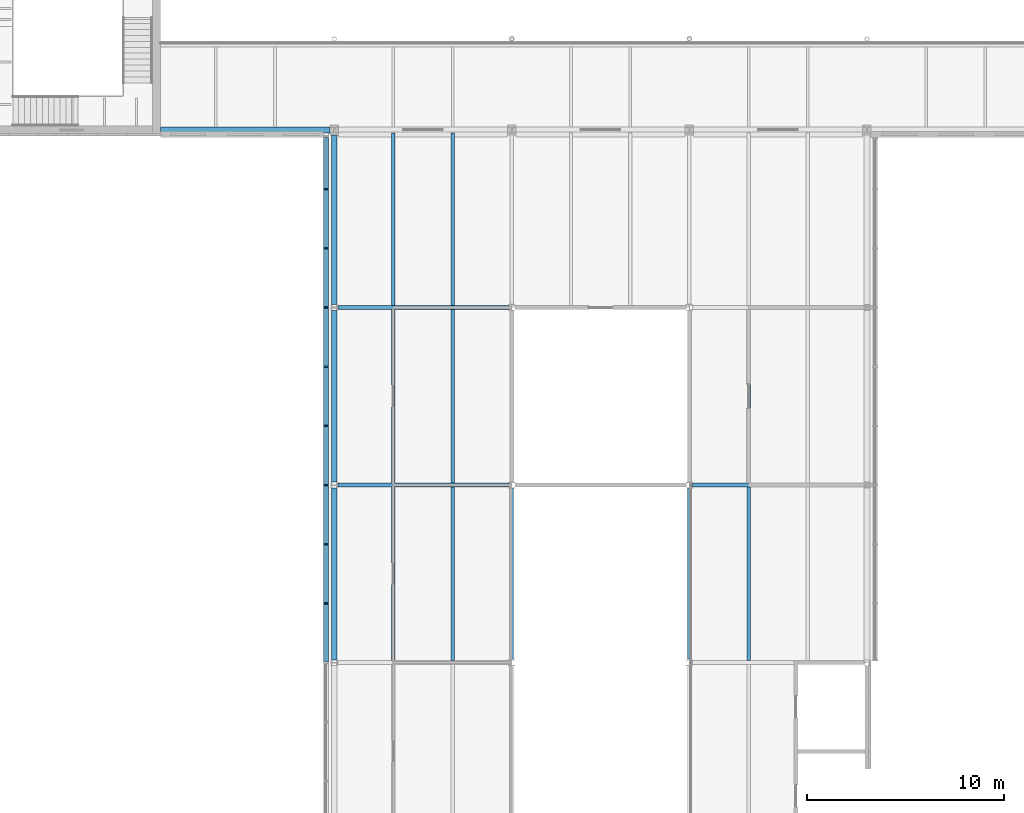
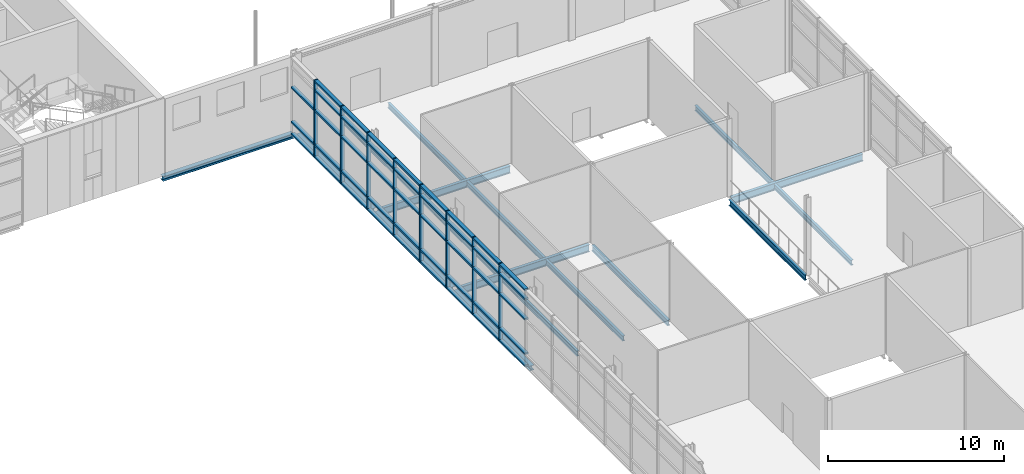
# One storey, part 18 of 46: 51 members, 17 beams, 1 element without a shape of its own.
"""IFC4 building model written with IfcOpenShell, lengths in metres."""

import ifcopenshell
import ifcopenshell.guid

model = None  # the IFC model being written
_history = None  # IfcOwnerHistory: only IFC2X3 demands one
_inside = {}  # id of a spatial element -> (the spatial element, [elements in it])
_under = {}  # id of a project, library or spatial element -> (it, [spatial elements below it])
_declared = {}  # id of a project -> (the project, [libraries it declares])
_typed = {}  # id of a type object -> (the type object, [elements of that type])
_made_of = {}  # id of a material, layer set ... -> (it, [elements and type objects made of it])


def new_model(schema):
    """Start an empty IFC model of exactly this schema.

    Asked for "IFC4X3", IfcOpenShell would pick the latest addendum, in which some entities
    have other attributes; the version numbers below select the first issue.
    IFC2X3 requires an IfcOwnerHistory on every rooted entity: one is made here for all.
    """
    global model, _history
    if schema == "IFC4X3":
        model = ifcopenshell.file(schema_version=(4, 3, 0, 0))
    else:
        model = ifcopenshell.file(schema=schema)
    _inside.clear()
    _under.clear()
    _declared.clear()
    _typed.clear()
    _made_of.clear()
    _history = None
    if model.schema == "IFC2X3":
        org = make("IfcOrganization", Name="unknown")
        user = make(
            "IfcPersonAndOrganization",
            ThePerson=make("IfcPerson", FamilyName="unknown"),
            TheOrganization=org,
        )
        app = make(
            "IfcApplication",
            ApplicationDeveloper=org,
            Version="unknown",
            ApplicationFullName="unknown",
            ApplicationIdentifier="unknown",
        )
        _history = make(
            "IfcOwnerHistory",
            OwningUser=user,
            OwningApplication=app,
            ChangeAction="ADDED",
            CreationDate=0,
        )
    return model


def make(cls, **values):
    """One entity of the class cls with the attributes given. An attribute that is None is left unset."""
    return model.create_entity(
        cls, **{name: value for name, value in values.items() if value is not None}
    )


def rooted(cls, **values):
    """An entity with a GlobalId (a new one), such as an element, a storey or a relation."""
    return make(cls, GlobalId=ifcopenshell.guid.new(), OwnerHistory=_history, **values)


def si_unit(unit_type, name, prefix=None):
    """IfcSIUnit, for example si_unit("LENGTHUNIT", "METRE", prefix="MILLI")."""
    return make("IfcSIUnit", UnitType=unit_type, Prefix=prefix, Name=name)


def assignment(units):
    """IfcUnitAssignment: the units of a project."""
    return None if units is None else make("IfcUnitAssignment", Units=units)


def point(xyz):
    """IfcCartesianPoint."""
    return None if xyz is None else make("IfcCartesianPoint", Coordinates=xyz)


def direction(xyz):
    """IfcDirection."""
    return None if xyz is None else make("IfcDirection", DirectionRatios=xyz)


def frame(location, z_axis=None, x_axis=None):
    """IfcAxis2Placement3D, a coordinate frame: its origin and axes. An axis left out is left unset."""
    return make(
        "IfcAxis2Placement3D",
        Location=point(location),
        Axis=direction(z_axis),
        RefDirection=direction(x_axis),
    )


def frame_2d(location, x_axis=None):
    """IfcAxis2Placement2D, a coordinate frame in the plane: its origin and x axis."""
    return make(
        "IfcAxis2Placement2D", Location=point(location), RefDirection=direction(x_axis)
    )


def origin():
    """The frame at (0, 0, 0) with its axes left unset."""
    return frame((0.0, 0.0, 0.0))


def origin_2d():
    """The frame at (0, 0) in the plane with its x axis left unset."""
    return frame_2d((0.0, 0.0))


def place(relative_to, where):
    """IfcLocalPlacement: puts the frame where relative to a parent placement (None: the world)."""
    return make(
        "IfcLocalPlacement", PlacementRelTo=relative_to, RelativePlacement=where
    )


def context(
    kind, dimensions, precision=None, world=None, true_north=None, identifier=None
):
    """IfcGeometricRepresentationContext, for example the 3D "Model" context."""
    return make(
        "IfcGeometricRepresentationContext",
        ContextIdentifier=identifier,
        ContextType=kind,
        CoordinateSpaceDimension=dimensions,
        Precision=precision,
        WorldCoordinateSystem=world,
        TrueNorth=true_north,
    )


def subcontext(parent, identifier, kind, view, scale=None):
    """IfcGeometricRepresentationSubContext, for example "Body" below "Model"."""
    return make(
        "IfcGeometricRepresentationSubContext",
        ContextIdentifier=identifier,
        ContextType=kind,
        ParentContext=parent,
        TargetScale=scale,
        TargetView=view,
    )


def project(units=None, contexts=None):
    """IfcProject with its units and contexts."""
    return rooted(
        "IfcProject",
        Name="project",
        RepresentationContexts=contexts,
        UnitsInContext=assignment(units),
    )


def spatial(cls, under=None, at=None, **own):
    """A site, building, storey or space (cls), placed at a placement, below another one or the project."""
    s = rooted(cls, ObjectPlacement=at, **own)
    if under is not None:
        _under.setdefault(under.id(), (under, []))[1].append(s)
    return s


def profile(cls, at=None, kind="AREA", **sizes):
    """A parametric profile (cls). Its sizes go by their IFC names, for example OverallWidth=200.0."""
    return make(cls, ProfileType=kind, Position=at, **sizes)


def rectangle(**sizes):
    """IfcRectangleProfileDef."""
    return profile("IfcRectangleProfileDef", **sizes)


def i_section(**sizes):
    """IfcIShapeProfileDef."""
    return profile("IfcIShapeProfileDef", **sizes)


def extrude(swept, where, along, depth):
    """IfcExtrudedAreaSolid: the profile swept, set in the frame where, extruded along a direction by depth."""
    return make(
        "IfcExtrudedAreaSolid",
        SweptArea=swept,
        Position=where,
        ExtrudedDirection=direction(along),
        Depth=depth,
    )


def shape(context_of_items, identifier, shape_type, items):
    """IfcShapeRepresentation: the items that make up one representation, for example the "Body"."""
    return make(
        "IfcShapeRepresentation",
        ContextOfItems=context_of_items,
        RepresentationIdentifier=identifier,
        RepresentationType=shape_type,
        Items=items,
    )


def material(Name=None, Category=None):
    """IfcMaterial."""
    return make("IfcMaterial", Name=Name, Category=Category)


def material_profile(
    of_material, cross_section, Name=None, Category=None, Priority=None
):
    """IfcMaterialProfile: a cross section and its material."""
    return make(
        "IfcMaterialProfile",
        Name=Name,
        Material=of_material,
        Profile=cross_section,
        Priority=Priority,
        Category=Category,
    )


def profile_set(profiles, Name=None, composite=None):
    """IfcMaterialProfileSet."""
    return make(
        "IfcMaterialProfileSet",
        Name=Name,
        MaterialProfiles=profiles,
        CompositeProfile=composite,
    )


def made_of(thing, what):
    """Note that an element or type object is made of a material, layer set ...; save() writes the relation."""
    if what is not None:
        _made_of.setdefault(what.id(), (what, []))[1].append(thing)
    return thing


def type_object(cls, material=None, **own):
    """A type object (cls), such as IfcWallType, which elements share."""
    return made_of(rooted(cls, **own), material)


def element(
    cls,
    number,
    at=None,
    inside=None,
    cuts=None,
    type_object=None,
    material=None,
    context=None,
    identifier="Body",
    shape_type=None,
    held_by="IfcProductDefinitionShape",
    body=None,
    shapes=None,
    **own,
):
    """One element of the class cls, such as IfcWall. Its Tag is "e" and its number.

    at: its placement. inside: the storey or other place that contains it. cuts: it is an
    opening in that element (IfcRelVoidsElement). A single representation is given by context,
    identifier, shape_type and body (its items); several are given by shapes. held_by: the class
    of the entity that holds the representations. save() writes the other relations.
    """
    e = rooted(cls, Tag="e%d" % number, ObjectPlacement=at, **own)
    if body is not None:
        shapes = [shape(context, identifier, shape_type, body)]
    if shapes is not None:
        e.Representation = make(held_by, Representations=shapes)
    if inside is not None:
        _inside.setdefault(inside.id(), (inside, []))[1].append(e)
    if cuts is not None:
        rooted(
            "IfcRelVoidsElement", RelatingBuildingElement=cuts, RelatedOpeningElement=e
        )
    if type_object is not None:
        _typed.setdefault(type_object.id(), (type_object, []))[1].append(e)
    return made_of(e, material)


def aggregate(whole, parts):
    """IfcRelAggregates: a whole, such as a stair, and the parts it consists of."""
    return rooted("IfcRelAggregates", RelatingObject=whole, RelatedObjects=parts)


def save(model, path):
    """Write the relations noted so far, then the file.

    IfcRelAggregates (storeys below a building ...), IfcRelContainedInSpatialStructure (elements
    in a storey), IfcRelDefinesByType, IfcRelAssociatesMaterial and IfcRelDeclares: one each for
    every whole, place, type object, material and project.
    """
    for whole, parts in _under.values():
        aggregate(whole, parts)
    for where, things in _inside.values():
        rooted(
            "IfcRelContainedInSpatialStructure",
            RelatedElements=things,
            RelatingStructure=where,
        )
    for kind, things in _typed.values():
        rooted("IfcRelDefinesByType", RelatedObjects=things, RelatingType=kind)
    for what, things in _made_of.values():
        rooted("IfcRelAssociatesMaterial", RelatedObjects=things, RelatingMaterial=what)
    for by, libraries in _declared.values():
        rooted("IfcRelDeclares", RelatingContext=by, RelatedDefinitions=libraries)
    model.write(path)


model = new_model("IFC4")

# Units and contexts
model_context = context("Model", 3, precision=1e-05, world=origin(), true_north=direction((0.0, 1.0)))
body_context = subcontext(model_context, "Body", "Model", "MODEL_VIEW")
ifc_project = project(units=[si_unit("LENGTHUNIT", "METRE"), si_unit("AREAUNIT", "SQUARE_METRE"), si_unit("VOLUMEUNIT", "CUBIC_METRE"), si_unit("PLANEANGLEUNIT", "RADIAN"), si_unit("MASSUNIT", "GRAM", prefix="KILO")], contexts=[model_context])

# Site, building, storey
site_placement = place(None, origin())
site = spatial("IfcSite", under=ifc_project, at=site_placement, CompositionType="ELEMENT")
building_placement = place(site_placement, origin())
building = spatial("IfcBuilding", under=site, at=building_placement, Name="Azimuth Sports and Learning Centre", CompositionType="ELEMENT")
storey_placement = place(building_placement, frame((0.0, 0.0, 21.60009765625)))
storey = spatial("IfcBuildingStorey", under=building, at=storey_placement, Name="L04", CompositionType="ELEMENT", Elevation=21.60009765625)

# Beams
ifc_material_1 = material(Name="Steel S355", Category="steel")
ifc_material_profile_1 = material_profile(ifc_material_1, i_section(OverallWidth=0.179931640625, OverallDepth=0.39990234375, WebThickness=0.008544921875, FlangeThickness=0.013427734375, FilletRadius=0.02099609375, at=origin_2d()), Name="IPE 400")
ifc_profile_set_1 = profile_set([ifc_material_profile_1], Name="Steel S355")
beam_type_1 = type_object("IfcBeamType", Name="Beam IPE 400", PredefinedType="BEAM", material=ifc_profile_set_1)
for number, where, z_axis, x_axis, name in (
    (1, (81.0, 63.179931640625, -0.35009765625), (0.0, 1.0, 0.0), (-1.0, 0.0, 0.0), "Beam L04 ST 33"),
    (2, (90.0, 63.179931640625, -0.35009765625), (0.0, 1.0, 0.0), (-1.0, 0.0, 0.0), "Beam L04 ST 39"),
):
    element("IfcBeam", number, at=place(storey_placement, frame(where, z_axis=z_axis, x_axis=x_axis)), inside=storey, type_object=beam_type_1, Name=name, PredefinedType="BEAM", context=body_context, shape_type="SweptSolid", body=[
        extrude(i_section(OverallWidth=0.179931640625, OverallDepth=0.39990234375, WebThickness=0.008544921875, FlangeThickness=0.013427734375, FilletRadius=0.02099609375, at=origin_2d()), origin(), (0.0, 0.0, 1.0), 8.64013671875),
    ])
ifc_material_2 = material(Name="Steel S355", Category="steel")
ifc_material_profile_2 = material_profile(ifc_material_2, i_section(OverallWidth=0.199951171875, OverallDepth=0.5, WebThickness=0.01025390625, FlangeThickness=0.01611328125, FilletRadius=0.02099609375, at=origin_2d()), Name="IPE 500")
ifc_profile_set_2 = profile_set([ifc_material_profile_2], Name="Steel S355")
beam_type_2 = type_object("IfcBeamType", Name="Beam IPE 500", PredefinedType="BEAM", material=ifc_profile_set_2)
for number, where, z_axis, x_axis, name in (
    (3, (72.179931640625, 72.0, -0.400146484375), (1.0, 0.0, 0.0), (0.0, 1.0, 0.0), "Beam L04 ST 14"),
    (4, (90.14990234375, 72.0, -0.400146484375), (1.0, 0.0, 0.0), (0.0, 1.0, 0.0), "Beam L04 ST 15"),
    (5, (72.179931640625, 81.0, -0.400146484375), (1.0, 0.0, 0.0), (0.0, 1.0, 0.0), "Beam L04 ST 16"),
):
    element("IfcBeam", number, at=place(storey_placement, frame(where, z_axis=z_axis, x_axis=x_axis)), inside=storey, type_object=beam_type_2, Name=name, PredefinedType="BEAM", context=body_context, shape_type="SweptSolid", body=[
        extrude(i_section(OverallWidth=0.199951171875, OverallDepth=0.5, WebThickness=0.01025390625, FlangeThickness=0.01611328125, FilletRadius=0.02099609375, at=origin_2d()), origin(), (0.0, 0.0, 1.0), 8.670166015625),
    ])
ifc_material_3 = material(Name="Steel S355", Category="steel")
ifc_material_profile_3 = material_profile(ifc_material_3, i_section(OverallWidth=0.300048828125, OverallDepth=0.330078125, WebThickness=0.009521484375, FlangeThickness=0.0166015625, FilletRadius=0.027099609375, at=origin_2d()), Name="HEA 340")
ifc_profile_set_3 = profile_set([ifc_material_profile_3], Name="Steel S355")
beam_type_3 = type_object("IfcBeamType", Name="Edge beam HEA 340", PredefinedType="SPANDREL", material=ifc_profile_set_3)
for number, where, z_axis, x_axis, name in (
    (6, (72.0, 63.14990234375, -0.315185546875), (0.0, 1.0, 0.0), (-1.0, 0.0, 0.0), "Edge beam L04 ST 26"),
    (7, (72.0, 72.14990234375, -0.315185546875), (0.0, 1.0, 0.0), (-1.0, 0.0, 0.0), "Edge beam L04 ST 27"),
):
    element("IfcBeam", number, at=place(storey_placement, frame(where, z_axis=z_axis, x_axis=x_axis)), inside=storey, type_object=beam_type_3, Name=name, PredefinedType="SPANDREL", context=body_context, shape_type="SweptSolid", body=[
        extrude(i_section(OverallWidth=0.300048828125, OverallDepth=0.330078125, WebThickness=0.009521484375, FlangeThickness=0.0166015625, FilletRadius=0.027099609375, at=origin_2d()), origin(), (0.0, 0.0, 1.0), 8.7001953125),
    ])
beam_1_placement = place(storey_placement, frame((72.0, 81.14990234375, -0.315185546875), z_axis=(0.0, 1.0, 0.0), x_axis=(-1.0, 0.0, 0.0)))
element("IfcBeam", 8, at=beam_1_placement, inside=storey, type_object=beam_type_3, Name="Edge beam L04 ST 28", PredefinedType="SPANDREL", context=body_context, shape_type="SweptSolid", body=[
    extrude(i_section(OverallWidth=0.300048828125, OverallDepth=0.330078125, WebThickness=0.009521484375, FlangeThickness=0.0166015625, FilletRadius=0.027099609375, at=origin_2d()), origin(), (0.0, 0.0, 1.0), 8.60107421875),
])
beam_2_placement = place(storey_placement, frame((63.199951171875, 90.0, -0.315185546875), z_axis=(1.0, 0.0, 0.0), x_axis=(0.0, 1.0, 0.0)))
element("IfcBeam", 9, at=beam_2_placement, inside=storey, type_object=beam_type_3, Name="Edge beam L04 HG 1", PredefinedType="SPANDREL", context=body_context, shape_type="SweptSolid", body=[
    extrude(i_section(OverallWidth=0.300048828125, OverallDepth=0.330078125, WebThickness=0.009521484375, FlangeThickness=0.0166015625, FilletRadius=0.027099609375, at=origin_2d()), origin(), (0.0, 0.0, 1.0), 8.583984375),
])
ifc_material_4 = material(Name="Steel S355", Category="steel")
ifc_material_profile_4 = material_profile(ifc_material_4, i_section(OverallWidth=0.169921875, OverallDepth=0.360107421875, WebThickness=0.008056640625, FlangeThickness=0.0126953125, FilletRadius=0.01806640625, at=origin_2d()), Name="IPE 360")
ifc_profile_set_4 = profile_set([ifc_material_profile_4], Name="Steel S355")
beam_type_4 = type_object("IfcBeamType", Name="Joist IPE 360", PredefinedType="JOIST", material=ifc_profile_set_4)
for number, where, z_axis, x_axis, name in (
    (10, (75.0, 63.10009765625, -0.330078125), (0.0, 1.0, 0.0), (-1.0, 0.0, 0.0), "Joist L04 ST 53"),
    (11, (75.0, 72.10009765625, -0.330078125), (0.0, 1.0, 0.0), (-1.0, 0.0, 0.0), "Joist L04 ST 54"),
):
    element("IfcBeam", number, at=place(storey_placement, frame(where, z_axis=z_axis, x_axis=x_axis)), inside=storey, type_object=beam_type_4, Name=name, PredefinedType="JOIST", context=body_context, shape_type="SweptSolid", body=[
        extrude(i_section(OverallWidth=0.169921875, OverallDepth=0.360107421875, WebThickness=0.008056640625, FlangeThickness=0.0126953125, FilletRadius=0.01806640625, at=origin_2d()), origin(), (0.0, 0.0, 1.0), 8.7998046875),
    ])
beam_3_placement = place(storey_placement, frame((75.0, 81.10009765625, -0.330078125), z_axis=(0.0, 1.0, 0.0), x_axis=(-1.0, 0.0, 0.0)))
element("IfcBeam", 12, at=beam_3_placement, inside=storey, type_object=beam_type_4, Name="Joist L04 ST 55", PredefinedType="JOIST", context=body_context, shape_type="SweptSolid", body=[
    extrude(i_section(OverallWidth=0.169921875, OverallDepth=0.360107421875, WebThickness=0.008056640625, FlangeThickness=0.0126953125, FilletRadius=0.01806640625, at=origin_2d()), origin(), (0.0, 0.0, 1.0), 8.75),
])
for number, where, z_axis, x_axis, name in (
    (13, (78.0, 63.10009765625, -0.330078125), (0.0, 1.0, 0.0), (-1.0, 0.0, 0.0), "Joist L04 ST 61"),
    (14, (78.0, 72.10009765625, -0.330078125), (0.0, 1.0, 0.0), (-1.0, 0.0, 0.0), "Joist L04 ST 62"),
):
    element("IfcBeam", number, at=place(storey_placement, frame(where, z_axis=z_axis, x_axis=x_axis)), inside=storey, type_object=beam_type_4, Name=name, PredefinedType="JOIST", context=body_context, shape_type="SweptSolid", body=[
        extrude(i_section(OverallWidth=0.169921875, OverallDepth=0.360107421875, WebThickness=0.008056640625, FlangeThickness=0.0126953125, FilletRadius=0.01806640625, at=origin_2d()), origin(), (0.0, 0.0, 1.0), 8.7998046875),
    ])
beam_4_placement = place(storey_placement, frame((78.0, 81.10009765625, -0.330078125), z_axis=(0.0, 1.0, 0.0), x_axis=(-1.0, 0.0, 0.0)))
element("IfcBeam", 15, at=beam_4_placement, inside=storey, type_object=beam_type_4, Name="Joist L04 ST 63", PredefinedType="JOIST", context=body_context, shape_type="SweptSolid", body=[
    extrude(i_section(OverallWidth=0.169921875, OverallDepth=0.360107421875, WebThickness=0.008056640625, FlangeThickness=0.0126953125, FilletRadius=0.01806640625, at=origin_2d()), origin(), (0.0, 0.0, 1.0), 8.75),
])
for number, where, z_axis, x_axis, name in (
    (16, (93.0, 63.10009765625, -0.330078125), (0.0, 1.0, 0.0), (-1.0, 0.0, 0.0), "Joist L04 ST 81"),
    (17, (93.0, 72.10009765625, -0.330078125), (0.0, 1.0, 0.0), (-1.0, 0.0, 0.0), "Joist L04 ST 82"),
):
    element("IfcBeam", number, at=place(storey_placement, frame(where, z_axis=z_axis, x_axis=x_axis)), inside=storey, type_object=beam_type_4, Name=name, PredefinedType="JOIST", context=body_context, shape_type="SweptSolid", body=[
        extrude(i_section(OverallWidth=0.169921875, OverallDepth=0.360107421875, WebThickness=0.008056640625, FlangeThickness=0.0126953125, FilletRadius=0.01806640625, at=origin_2d()), origin(), (0.0, 0.0, 1.0), 8.7998046875),
    ])

# Curtain wall, members
ifc_material_5 = material(Name="Aluminium and glass", Category="aluminium")
curtain_wall_type = type_object("IfcCurtainWallType", Name="Curtain wall podium stem 240", PredefinedType="NOTDEFINED", material=ifc_material_5)
curtain_wall_placement = place(storey_placement, origin())
curtain_wall = element("IfcCurtainWall", 18, at=curtain_wall_placement, inside=storey, type_object=curtain_wall_type, Name="Curtain wall CW04-003", PredefinedType="NOTDEFINED")
ifc_material_6 = material(Name="Aluminium", Category="aluminium")
ifc_material_profile_5 = material_profile(ifc_material_6, rectangle(XDim=0.239990234375, YDim=0.080078125, at=origin_2d()), Name="Mullion 80x240")
ifc_profile_set_5 = profile_set([ifc_material_profile_5], Name="Aluminium")
member_type_1 = type_object("IfcMemberType", Name="Mullion 80x240", PredefinedType="MULLION", material=ifc_profile_set_5)
member_1_placement = place(storey_placement, frame((71.580078125, 87.0, 0.0), z_axis=(0.0, 0.0, 1.0), x_axis=(1.0, 0.0, 0.0)))
member_1 = element("IfcMember", 19, at=member_1_placement, type_object=member_type_1, Name="CW04-003 mullion 2", PredefinedType="MULLION", context=body_context, shape_type="SweptSolid", body=[
    extrude(rectangle(XDim=0.239990234375, YDim=0.080078125, at=origin_2d()), origin(), (0.0, 0.0, 1.0), 5.39990234375),
])
member_2_placement = place(storey_placement, frame((71.580078125, 84.0, 0.0), z_axis=(0.0, 0.0, 1.0), x_axis=(1.0, 0.0, 0.0)))
member_2 = element("IfcMember", 20, at=member_2_placement, type_object=member_type_1, Name="CW04-003 mullion 3", PredefinedType="MULLION", context=body_context, shape_type="SweptSolid", body=[
    extrude(rectangle(XDim=0.239990234375, YDim=0.080078125, at=origin_2d()), origin(), (0.0, 0.0, 1.0), 5.39990234375),
])
member_3_placement = place(storey_placement, frame((71.580078125, 81.0, 0.0), z_axis=(0.0, 0.0, 1.0), x_axis=(1.0, 0.0, 0.0)))
member_3 = element("IfcMember", 21, at=member_3_placement, type_object=member_type_1, Name="CW04-003 mullion 4", PredefinedType="MULLION", context=body_context, shape_type="SweptSolid", body=[
    extrude(rectangle(XDim=0.239990234375, YDim=0.080078125, at=origin_2d()), origin(), (0.0, 0.0, 1.0), 5.39990234375),
])
member_4_placement = place(storey_placement, frame((71.580078125, 78.0, 0.0), z_axis=(0.0, 0.0, 1.0), x_axis=(1.0, 0.0, 0.0)))
member_4 = element("IfcMember", 22, at=member_4_placement, type_object=member_type_1, Name="CW04-003 mullion 5", PredefinedType="MULLION", context=body_context, shape_type="SweptSolid", body=[
    extrude(rectangle(XDim=0.239990234375, YDim=0.080078125, at=origin_2d()), origin(), (0.0, 0.0, 1.0), 5.39990234375),
])
member_5_placement = place(storey_placement, frame((71.580078125, 75.0, 0.0), z_axis=(0.0, 0.0, 1.0), x_axis=(1.0, 0.0, 0.0)))
member_5 = element("IfcMember", 23, at=member_5_placement, type_object=member_type_1, Name="CW04-003 mullion 6", PredefinedType="MULLION", context=body_context, shape_type="SweptSolid", body=[
    extrude(rectangle(XDim=0.239990234375, YDim=0.080078125, at=origin_2d()), origin(), (0.0, 0.0, 1.0), 5.39990234375),
])
member_6_placement = place(storey_placement, frame((71.580078125, 72.0, 0.0), z_axis=(0.0, 0.0, 1.0), x_axis=(1.0, 0.0, 0.0)))
member_6 = element("IfcMember", 24, at=member_6_placement, type_object=member_type_1, Name="CW04-003 mullion 7", PredefinedType="MULLION", context=body_context, shape_type="SweptSolid", body=[
    extrude(rectangle(XDim=0.239990234375, YDim=0.080078125, at=origin_2d()), origin(), (0.0, 0.0, 1.0), 5.39990234375),
])
member_7_placement = place(storey_placement, frame((71.580078125, 69.0, 0.0), z_axis=(0.0, 0.0, 1.0), x_axis=(1.0, 0.0, 0.0)))
member_7 = element("IfcMember", 25, at=member_7_placement, type_object=member_type_1, Name="CW04-003 mullion 8", PredefinedType="MULLION", context=body_context, shape_type="SweptSolid", body=[
    extrude(rectangle(XDim=0.239990234375, YDim=0.080078125, at=origin_2d()), origin(), (0.0, 0.0, 1.0), 5.39990234375),
])
member_8_placement = place(storey_placement, frame((71.580078125, 66.0, 0.0), z_axis=(0.0, 0.0, 1.0), x_axis=(1.0, 0.0, 0.0)))
member_8 = element("IfcMember", 26, at=member_8_placement, type_object=member_type_1, Name="CW04-003 mullion 9", PredefinedType="MULLION", context=body_context, shape_type="SweptSolid", body=[
    extrude(rectangle(XDim=0.239990234375, YDim=0.080078125, at=origin_2d()), origin(), (0.0, 0.0, 1.0), 5.39990234375),
])
ifc_material_7 = material(Name="Aluminium", Category="aluminium")
ifc_material_profile_6 = material_profile(ifc_material_7, rectangle(XDim=0.239990234375, YDim=0.1201171875, at=origin_2d()), Name="Transom 120x240")
ifc_profile_set_6 = profile_set([ifc_material_profile_6], Name="Aluminium")
member_type_2 = type_object("IfcMemberType", Name="Transom 120x240", PredefinedType="USERDEFINED", material=ifc_profile_set_6)
member_9_placement = place(storey_placement, frame((71.580078125, 89.6201171875, 0.059814453125), z_axis=(0.0, -1.0, 0.0), x_axis=(1.0, 0.0, 0.0)))
member_9 = element("IfcMember", 27, at=member_9_placement, type_object=member_type_2, Name="CW04-003 transom 1.1", ObjectType="TRANSOM", PredefinedType="USERDEFINED", context=body_context, shape_type="SweptSolid", body=[
    extrude(rectangle(XDim=0.239990234375, YDim=0.1201171875, at=origin_2d()), origin(), (0.0, 0.0, 1.0), 2.580078125),
])
member_10_placement = place(storey_placement, frame((71.580078125, 89.6201171875, 0.89990234375), z_axis=(0.0, -1.0, 0.0), x_axis=(1.0, 0.0, 0.0)))
member_10 = element("IfcMember", 28, at=member_10_placement, type_object=member_type_2, Name="CW04-003 transom 1.2", ObjectType="TRANSOM", PredefinedType="USERDEFINED", context=body_context, shape_type="SweptSolid", body=[
    extrude(rectangle(XDim=0.239990234375, YDim=0.1201171875, at=origin_2d()), origin(), (0.0, 0.0, 1.0), 2.580078125),
])
member_11_placement = place(storey_placement, frame((71.580078125, 89.6201171875, 3.2998046875), z_axis=(0.0, -1.0, 0.0), x_axis=(1.0, 0.0, 0.0)))
member_11 = element("IfcMember", 29, at=member_11_placement, type_object=member_type_2, Name="CW04-003 transom 1.3", ObjectType="TRANSOM", PredefinedType="USERDEFINED", context=body_context, shape_type="SweptSolid", body=[
    extrude(rectangle(XDim=0.239990234375, YDim=0.1201171875, at=origin_2d()), origin(), (0.0, 0.0, 1.0), 2.580078125),
])
member_12_placement = place(storey_placement, frame((71.580078125, 86.9599609375, 0.059814453125), z_axis=(0.0, -1.0, 0.0), x_axis=(1.0, 0.0, 0.0)))
member_12 = element("IfcMember", 30, at=member_12_placement, type_object=member_type_2, Name="CW04-003 transom 2.1", ObjectType="TRANSOM", PredefinedType="USERDEFINED", context=body_context, shape_type="SweptSolid", body=[
    extrude(rectangle(XDim=0.239990234375, YDim=0.1201171875, at=origin_2d()), origin(), (0.0, 0.0, 1.0), 2.919921875),
])
member_13_placement = place(storey_placement, frame((71.580078125, 86.9599609375, 0.89990234375), z_axis=(0.0, -1.0, 0.0), x_axis=(1.0, 0.0, 0.0)))
member_13 = element("IfcMember", 31, at=member_13_placement, type_object=member_type_2, Name="CW04-003 transom 2.2", ObjectType="TRANSOM", PredefinedType="USERDEFINED", context=body_context, shape_type="SweptSolid", body=[
    extrude(rectangle(XDim=0.239990234375, YDim=0.1201171875, at=origin_2d()), origin(), (0.0, 0.0, 1.0), 2.919921875),
])
member_14_placement = place(storey_placement, frame((71.580078125, 86.9599609375, 3.2998046875), z_axis=(0.0, -1.0, 0.0), x_axis=(1.0, 0.0, 0.0)))
member_14 = element("IfcMember", 32, at=member_14_placement, type_object=member_type_2, Name="CW04-003 transom 2.3", ObjectType="TRANSOM", PredefinedType="USERDEFINED", context=body_context, shape_type="SweptSolid", body=[
    extrude(rectangle(XDim=0.239990234375, YDim=0.1201171875, at=origin_2d()), origin(), (0.0, 0.0, 1.0), 2.919921875),
])
member_15_placement = place(storey_placement, frame((71.580078125, 86.9599609375, 4.699951171875), z_axis=(0.0, -1.0, 0.0), x_axis=(1.0, 0.0, 0.0)))
member_15 = element("IfcMember", 33, at=member_15_placement, type_object=member_type_2, Name="CW04-003 transom 2.4", ObjectType="TRANSOM", PredefinedType="USERDEFINED", context=body_context, shape_type="SweptSolid", body=[
    extrude(rectangle(XDim=0.239990234375, YDim=0.1201171875, at=origin_2d()), origin(), (0.0, 0.0, 1.0), 2.919921875),
])
member_16_placement = place(storey_placement, frame((71.580078125, 86.9599609375, 5.33984375), z_axis=(0.0, -1.0, 0.0), x_axis=(1.0, 0.0, 0.0)))
member_16 = element("IfcMember", 34, at=member_16_placement, type_object=member_type_2, Name="CW04-003 transom 2.5", ObjectType="TRANSOM", PredefinedType="USERDEFINED", context=body_context, shape_type="SweptSolid", body=[
    extrude(rectangle(XDim=0.239990234375, YDim=0.1201171875, at=origin_2d()), origin(), (0.0, 0.0, 1.0), 2.919921875),
])
member_17_placement = place(storey_placement, frame((71.580078125, 83.9599609375, 0.059814453125), z_axis=(0.0, -1.0, 0.0), x_axis=(1.0, 0.0, 0.0)))
member_17 = element("IfcMember", 35, at=member_17_placement, type_object=member_type_2, Name="CW04-003 transom 3.1", ObjectType="TRANSOM", PredefinedType="USERDEFINED", context=body_context, shape_type="SweptSolid", body=[
    extrude(rectangle(XDim=0.239990234375, YDim=0.1201171875, at=origin_2d()), origin(), (0.0, 0.0, 1.0), 2.919921875),
])
member_18_placement = place(storey_placement, frame((71.580078125, 83.9599609375, 0.89990234375), z_axis=(0.0, -1.0, 0.0), x_axis=(1.0, 0.0, 0.0)))
member_18 = element("IfcMember", 36, at=member_18_placement, type_object=member_type_2, Name="CW04-003 transom 3.2", ObjectType="TRANSOM", PredefinedType="USERDEFINED", context=body_context, shape_type="SweptSolid", body=[
    extrude(rectangle(XDim=0.239990234375, YDim=0.1201171875, at=origin_2d()), origin(), (0.0, 0.0, 1.0), 2.919921875),
])
member_19_placement = place(storey_placement, frame((71.580078125, 83.9599609375, 3.2998046875), z_axis=(0.0, -1.0, 0.0), x_axis=(1.0, 0.0, 0.0)))
member_19 = element("IfcMember", 37, at=member_19_placement, type_object=member_type_2, Name="CW04-003 transom 3.3", ObjectType="TRANSOM", PredefinedType="USERDEFINED", context=body_context, shape_type="SweptSolid", body=[
    extrude(rectangle(XDim=0.239990234375, YDim=0.1201171875, at=origin_2d()), origin(), (0.0, 0.0, 1.0), 2.919921875),
])
member_20_placement = place(storey_placement, frame((71.580078125, 83.9599609375, 4.699951171875), z_axis=(0.0, -1.0, 0.0), x_axis=(1.0, 0.0, 0.0)))
member_20 = element("IfcMember", 38, at=member_20_placement, type_object=member_type_2, Name="CW04-003 transom 3.4", ObjectType="TRANSOM", PredefinedType="USERDEFINED", context=body_context, shape_type="SweptSolid", body=[
    extrude(rectangle(XDim=0.239990234375, YDim=0.1201171875, at=origin_2d()), origin(), (0.0, 0.0, 1.0), 2.919921875),
])
member_21_placement = place(storey_placement, frame((71.580078125, 83.9599609375, 5.33984375), z_axis=(0.0, -1.0, 0.0), x_axis=(1.0, 0.0, 0.0)))
member_21 = element("IfcMember", 39, at=member_21_placement, type_object=member_type_2, Name="CW04-003 transom 3.5", ObjectType="TRANSOM", PredefinedType="USERDEFINED", context=body_context, shape_type="SweptSolid", body=[
    extrude(rectangle(XDim=0.239990234375, YDim=0.1201171875, at=origin_2d()), origin(), (0.0, 0.0, 1.0), 2.919921875),
])
member_22_placement = place(storey_placement, frame((71.580078125, 80.9599609375, 0.059814453125), z_axis=(0.0, -1.0, 0.0), x_axis=(1.0, 0.0, 0.0)))
member_22 = element("IfcMember", 40, at=member_22_placement, type_object=member_type_2, Name="CW04-003 transom 4.1", ObjectType="TRANSOM", PredefinedType="USERDEFINED", context=body_context, shape_type="SweptSolid", body=[
    extrude(rectangle(XDim=0.239990234375, YDim=0.1201171875, at=origin_2d()), origin(), (0.0, 0.0, 1.0), 2.919921875),
])
member_23_placement = place(storey_placement, frame((71.580078125, 80.9599609375, 0.89990234375), z_axis=(0.0, -1.0, 0.0), x_axis=(1.0, 0.0, 0.0)))
member_23 = element("IfcMember", 41, at=member_23_placement, type_object=member_type_2, Name="CW04-003 transom 4.2", ObjectType="TRANSOM", PredefinedType="USERDEFINED", context=body_context, shape_type="SweptSolid", body=[
    extrude(rectangle(XDim=0.239990234375, YDim=0.1201171875, at=origin_2d()), origin(), (0.0, 0.0, 1.0), 2.919921875),
])
member_24_placement = place(storey_placement, frame((71.580078125, 80.9599609375, 3.2998046875), z_axis=(0.0, -1.0, 0.0), x_axis=(1.0, 0.0, 0.0)))
member_24 = element("IfcMember", 42, at=member_24_placement, type_object=member_type_2, Name="CW04-003 transom 4.3", ObjectType="TRANSOM", PredefinedType="USERDEFINED", context=body_context, shape_type="SweptSolid", body=[
    extrude(rectangle(XDim=0.239990234375, YDim=0.1201171875, at=origin_2d()), origin(), (0.0, 0.0, 1.0), 2.919921875),
])
member_25_placement = place(storey_placement, frame((71.580078125, 80.9599609375, 4.699951171875), z_axis=(0.0, -1.0, 0.0), x_axis=(1.0, 0.0, 0.0)))
member_25 = element("IfcMember", 43, at=member_25_placement, type_object=member_type_2, Name="CW04-003 transom 4.4", ObjectType="TRANSOM", PredefinedType="USERDEFINED", context=body_context, shape_type="SweptSolid", body=[
    extrude(rectangle(XDim=0.239990234375, YDim=0.1201171875, at=origin_2d()), origin(), (0.0, 0.0, 1.0), 2.919921875),
])
member_26_placement = place(storey_placement, frame((71.580078125, 80.9599609375, 5.33984375), z_axis=(0.0, -1.0, 0.0), x_axis=(1.0, 0.0, 0.0)))
member_26 = element("IfcMember", 44, at=member_26_placement, type_object=member_type_2, Name="CW04-003 transom 4.5", ObjectType="TRANSOM", PredefinedType="USERDEFINED", context=body_context, shape_type="SweptSolid", body=[
    extrude(rectangle(XDim=0.239990234375, YDim=0.1201171875, at=origin_2d()), origin(), (0.0, 0.0, 1.0), 2.919921875),
])
member_27_placement = place(storey_placement, frame((71.580078125, 77.9599609375, 0.059814453125), z_axis=(0.0, -1.0, 0.0), x_axis=(1.0, 0.0, 0.0)))
member_27 = element("IfcMember", 45, at=member_27_placement, type_object=member_type_2, Name="CW04-003 transom 5.1", ObjectType="TRANSOM", PredefinedType="USERDEFINED", context=body_context, shape_type="SweptSolid", body=[
    extrude(rectangle(XDim=0.239990234375, YDim=0.1201171875, at=origin_2d()), origin(), (0.0, 0.0, 1.0), 2.919921875),
])
member_28_placement = place(storey_placement, frame((71.580078125, 77.9599609375, 0.89990234375), z_axis=(0.0, -1.0, 0.0), x_axis=(1.0, 0.0, 0.0)))
member_28 = element("IfcMember", 46, at=member_28_placement, type_object=member_type_2, Name="CW04-003 transom 5.2", ObjectType="TRANSOM", PredefinedType="USERDEFINED", context=body_context, shape_type="SweptSolid", body=[
    extrude(rectangle(XDim=0.239990234375, YDim=0.1201171875, at=origin_2d()), origin(), (0.0, 0.0, 1.0), 2.919921875),
])
member_29_placement = place(storey_placement, frame((71.580078125, 77.9599609375, 3.2998046875), z_axis=(0.0, -1.0, 0.0), x_axis=(1.0, 0.0, 0.0)))
member_29 = element("IfcMember", 47, at=member_29_placement, type_object=member_type_2, Name="CW04-003 transom 5.3", ObjectType="TRANSOM", PredefinedType="USERDEFINED", context=body_context, shape_type="SweptSolid", body=[
    extrude(rectangle(XDim=0.239990234375, YDim=0.1201171875, at=origin_2d()), origin(), (0.0, 0.0, 1.0), 2.919921875),
])
member_30_placement = place(storey_placement, frame((71.580078125, 77.9599609375, 4.699951171875), z_axis=(0.0, -1.0, 0.0), x_axis=(1.0, 0.0, 0.0)))
member_30 = element("IfcMember", 48, at=member_30_placement, type_object=member_type_2, Name="CW04-003 transom 5.4", ObjectType="TRANSOM", PredefinedType="USERDEFINED", context=body_context, shape_type="SweptSolid", body=[
    extrude(rectangle(XDim=0.239990234375, YDim=0.1201171875, at=origin_2d()), origin(), (0.0, 0.0, 1.0), 2.919921875),
])
member_31_placement = place(storey_placement, frame((71.580078125, 77.9599609375, 5.33984375), z_axis=(0.0, -1.0, 0.0), x_axis=(1.0, 0.0, 0.0)))
member_31 = element("IfcMember", 49, at=member_31_placement, type_object=member_type_2, Name="CW04-003 transom 5.5", ObjectType="TRANSOM", PredefinedType="USERDEFINED", context=body_context, shape_type="SweptSolid", body=[
    extrude(rectangle(XDim=0.239990234375, YDim=0.1201171875, at=origin_2d()), origin(), (0.0, 0.0, 1.0), 2.919921875),
])
member_32_placement = place(storey_placement, frame((71.580078125, 74.9599609375, 0.059814453125), z_axis=(0.0, -1.0, 0.0), x_axis=(1.0, 0.0, 0.0)))
member_32 = element("IfcMember", 50, at=member_32_placement, type_object=member_type_2, Name="CW04-003 transom 6.1", ObjectType="TRANSOM", PredefinedType="USERDEFINED", context=body_context, shape_type="SweptSolid", body=[
    extrude(rectangle(XDim=0.239990234375, YDim=0.1201171875, at=origin_2d()), origin(), (0.0, 0.0, 1.0), 2.919921875),
])
member_33_placement = place(storey_placement, frame((71.580078125, 74.9599609375, 0.89990234375), z_axis=(0.0, -1.0, 0.0), x_axis=(1.0, 0.0, 0.0)))
member_33 = element("IfcMember", 51, at=member_33_placement, type_object=member_type_2, Name="CW04-003 transom 6.2", ObjectType="TRANSOM", PredefinedType="USERDEFINED", context=body_context, shape_type="SweptSolid", body=[
    extrude(rectangle(XDim=0.239990234375, YDim=0.1201171875, at=origin_2d()), origin(), (0.0, 0.0, 1.0), 2.919921875),
])
member_34_placement = place(storey_placement, frame((71.580078125, 74.9599609375, 3.2998046875), z_axis=(0.0, -1.0, 0.0), x_axis=(1.0, 0.0, 0.0)))
member_34 = element("IfcMember", 52, at=member_34_placement, type_object=member_type_2, Name="CW04-003 transom 6.3", ObjectType="TRANSOM", PredefinedType="USERDEFINED", context=body_context, shape_type="SweptSolid", body=[
    extrude(rectangle(XDim=0.239990234375, YDim=0.1201171875, at=origin_2d()), origin(), (0.0, 0.0, 1.0), 2.919921875),
])
member_35_placement = place(storey_placement, frame((71.580078125, 74.9599609375, 4.699951171875), z_axis=(0.0, -1.0, 0.0), x_axis=(1.0, 0.0, 0.0)))
member_35 = element("IfcMember", 53, at=member_35_placement, type_object=member_type_2, Name="CW04-003 transom 6.4", ObjectType="TRANSOM", PredefinedType="USERDEFINED", context=body_context, shape_type="SweptSolid", body=[
    extrude(rectangle(XDim=0.239990234375, YDim=0.1201171875, at=origin_2d()), origin(), (0.0, 0.0, 1.0), 2.919921875),
])
member_36_placement = place(storey_placement, frame((71.580078125, 74.9599609375, 5.33984375), z_axis=(0.0, -1.0, 0.0), x_axis=(1.0, 0.0, 0.0)))
member_36 = element("IfcMember", 54, at=member_36_placement, type_object=member_type_2, Name="CW04-003 transom 6.5", ObjectType="TRANSOM", PredefinedType="USERDEFINED", context=body_context, shape_type="SweptSolid", body=[
    extrude(rectangle(XDim=0.239990234375, YDim=0.1201171875, at=origin_2d()), origin(), (0.0, 0.0, 1.0), 2.919921875),
])
member_37_placement = place(storey_placement, frame((71.580078125, 71.9599609375, 0.059814453125), z_axis=(0.0, -1.0, 0.0), x_axis=(1.0, 0.0, 0.0)))
member_37 = element("IfcMember", 55, at=member_37_placement, type_object=member_type_2, Name="CW04-003 transom 7.1", ObjectType="TRANSOM", PredefinedType="USERDEFINED", context=body_context, shape_type="SweptSolid", body=[
    extrude(rectangle(XDim=0.239990234375, YDim=0.1201171875, at=origin_2d()), origin(), (0.0, 0.0, 1.0), 2.919921875),
])
member_38_placement = place(storey_placement, frame((71.580078125, 71.9599609375, 0.89990234375), z_axis=(0.0, -1.0, 0.0), x_axis=(1.0, 0.0, 0.0)))
member_38 = element("IfcMember", 56, at=member_38_placement, type_object=member_type_2, Name="CW04-003 transom 7.2", ObjectType="TRANSOM", PredefinedType="USERDEFINED", context=body_context, shape_type="SweptSolid", body=[
    extrude(rectangle(XDim=0.239990234375, YDim=0.1201171875, at=origin_2d()), origin(), (0.0, 0.0, 1.0), 2.919921875),
])
member_39_placement = place(storey_placement, frame((71.580078125, 71.9599609375, 3.2998046875), z_axis=(0.0, -1.0, 0.0), x_axis=(1.0, 0.0, 0.0)))
member_39 = element("IfcMember", 57, at=member_39_placement, type_object=member_type_2, Name="CW04-003 transom 7.3", ObjectType="TRANSOM", PredefinedType="USERDEFINED", context=body_context, shape_type="SweptSolid", body=[
    extrude(rectangle(XDim=0.239990234375, YDim=0.1201171875, at=origin_2d()), origin(), (0.0, 0.0, 1.0), 2.919921875),
])
member_40_placement = place(storey_placement, frame((71.580078125, 71.9599609375, 4.699951171875), z_axis=(0.0, -1.0, 0.0), x_axis=(1.0, 0.0, 0.0)))
member_40 = element("IfcMember", 58, at=member_40_placement, type_object=member_type_2, Name="CW04-003 transom 7.4", ObjectType="TRANSOM", PredefinedType="USERDEFINED", context=body_context, shape_type="SweptSolid", body=[
    extrude(rectangle(XDim=0.239990234375, YDim=0.1201171875, at=origin_2d()), origin(), (0.0, 0.0, 1.0), 2.919921875),
])
member_41_placement = place(storey_placement, frame((71.580078125, 71.9599609375, 5.33984375), z_axis=(0.0, -1.0, 0.0), x_axis=(1.0, 0.0, 0.0)))
member_41 = element("IfcMember", 59, at=member_41_placement, type_object=member_type_2, Name="CW04-003 transom 7.5", ObjectType="TRANSOM", PredefinedType="USERDEFINED", context=body_context, shape_type="SweptSolid", body=[
    extrude(rectangle(XDim=0.239990234375, YDim=0.1201171875, at=origin_2d()), origin(), (0.0, 0.0, 1.0), 2.919921875),
])
member_42_placement = place(storey_placement, frame((71.580078125, 68.9599609375, 0.059814453125), z_axis=(0.0, -1.0, 0.0), x_axis=(1.0, 0.0, 0.0)))
member_42 = element("IfcMember", 60, at=member_42_placement, type_object=member_type_2, Name="CW04-003 transom 8.1", ObjectType="TRANSOM", PredefinedType="USERDEFINED", context=body_context, shape_type="SweptSolid", body=[
    extrude(rectangle(XDim=0.239990234375, YDim=0.1201171875, at=origin_2d()), origin(), (0.0, 0.0, 1.0), 2.919921875),
])
member_43_placement = place(storey_placement, frame((71.580078125, 68.9599609375, 0.89990234375), z_axis=(0.0, -1.0, 0.0), x_axis=(1.0, 0.0, 0.0)))
member_43 = element("IfcMember", 61, at=member_43_placement, type_object=member_type_2, Name="CW04-003 transom 8.2", ObjectType="TRANSOM", PredefinedType="USERDEFINED", context=body_context, shape_type="SweptSolid", body=[
    extrude(rectangle(XDim=0.239990234375, YDim=0.1201171875, at=origin_2d()), origin(), (0.0, 0.0, 1.0), 2.919921875),
])
member_44_placement = place(storey_placement, frame((71.580078125, 68.9599609375, 3.2998046875), z_axis=(0.0, -1.0, 0.0), x_axis=(1.0, 0.0, 0.0)))
member_44 = element("IfcMember", 62, at=member_44_placement, type_object=member_type_2, Name="CW04-003 transom 8.3", ObjectType="TRANSOM", PredefinedType="USERDEFINED", context=body_context, shape_type="SweptSolid", body=[
    extrude(rectangle(XDim=0.239990234375, YDim=0.1201171875, at=origin_2d()), origin(), (0.0, 0.0, 1.0), 2.919921875),
])
member_45_placement = place(storey_placement, frame((71.580078125, 68.9599609375, 4.699951171875), z_axis=(0.0, -1.0, 0.0), x_axis=(1.0, 0.0, 0.0)))
member_45 = element("IfcMember", 63, at=member_45_placement, type_object=member_type_2, Name="CW04-003 transom 8.4", ObjectType="TRANSOM", PredefinedType="USERDEFINED", context=body_context, shape_type="SweptSolid", body=[
    extrude(rectangle(XDim=0.239990234375, YDim=0.1201171875, at=origin_2d()), origin(), (0.0, 0.0, 1.0), 2.919921875),
])
member_46_placement = place(storey_placement, frame((71.580078125, 68.9599609375, 5.33984375), z_axis=(0.0, -1.0, 0.0), x_axis=(1.0, 0.0, 0.0)))
member_46 = element("IfcMember", 64, at=member_46_placement, type_object=member_type_2, Name="CW04-003 transom 8.5", ObjectType="TRANSOM", PredefinedType="USERDEFINED", context=body_context, shape_type="SweptSolid", body=[
    extrude(rectangle(XDim=0.239990234375, YDim=0.1201171875, at=origin_2d()), origin(), (0.0, 0.0, 1.0), 2.919921875),
])
member_47_placement = place(storey_placement, frame((71.580078125, 65.9599609375, 0.059814453125), z_axis=(0.0, -1.0, 0.0), x_axis=(1.0, 0.0, 0.0)))
member_47 = element("IfcMember", 65, at=member_47_placement, type_object=member_type_2, Name="CW04-003 transom 9.1", ObjectType="TRANSOM", PredefinedType="USERDEFINED", context=body_context, shape_type="SweptSolid", body=[
    extrude(rectangle(XDim=0.239990234375, YDim=0.1201171875, at=origin_2d()), origin(), (0.0, 0.0, 1.0), 2.919921875),
])
member_48_placement = place(storey_placement, frame((71.580078125, 65.9599609375, 0.89990234375), z_axis=(0.0, -1.0, 0.0), x_axis=(1.0, 0.0, 0.0)))
member_48 = element("IfcMember", 66, at=member_48_placement, type_object=member_type_2, Name="CW04-003 transom 9.2", ObjectType="TRANSOM", PredefinedType="USERDEFINED", context=body_context, shape_type="SweptSolid", body=[
    extrude(rectangle(XDim=0.239990234375, YDim=0.1201171875, at=origin_2d()), origin(), (0.0, 0.0, 1.0), 2.919921875),
])
member_49_placement = place(storey_placement, frame((71.580078125, 65.9599609375, 3.2998046875), z_axis=(0.0, -1.0, 0.0), x_axis=(1.0, 0.0, 0.0)))
member_49 = element("IfcMember", 67, at=member_49_placement, type_object=member_type_2, Name="CW04-003 transom 9.3", ObjectType="TRANSOM", PredefinedType="USERDEFINED", context=body_context, shape_type="SweptSolid", body=[
    extrude(rectangle(XDim=0.239990234375, YDim=0.1201171875, at=origin_2d()), origin(), (0.0, 0.0, 1.0), 2.919921875),
])
member_50_placement = place(storey_placement, frame((71.580078125, 65.9599609375, 4.699951171875), z_axis=(0.0, -1.0, 0.0), x_axis=(1.0, 0.0, 0.0)))
member_50 = element("IfcMember", 68, at=member_50_placement, type_object=member_type_2, Name="CW04-003 transom 9.4", ObjectType="TRANSOM", PredefinedType="USERDEFINED", context=body_context, shape_type="SweptSolid", body=[
    extrude(rectangle(XDim=0.239990234375, YDim=0.1201171875, at=origin_2d()), origin(), (0.0, 0.0, 1.0), 2.919921875),
])
member_51_placement = place(storey_placement, frame((71.580078125, 65.9599609375, 5.33984375), z_axis=(0.0, -1.0, 0.0), x_axis=(1.0, 0.0, 0.0)))
member_51 = element("IfcMember", 69, at=member_51_placement, type_object=member_type_2, Name="CW04-003 transom 9.5", ObjectType="TRANSOM", PredefinedType="USERDEFINED", context=body_context, shape_type="SweptSolid", body=[
    extrude(rectangle(XDim=0.239990234375, YDim=0.1201171875, at=origin_2d()), origin(), (0.0, 0.0, 1.0), 2.919921875),
])
aggregate(curtain_wall, [member_1, member_2, member_3, member_4, member_5, member_6, member_7, member_8, member_9, member_10, member_11, member_12, member_13, member_14, member_15, member_16, member_17, member_18, member_19, member_20, member_21, member_22, member_23, member_24, member_25, member_26, member_27, member_28, member_29, member_30, member_31, member_32, member_33, member_34, member_35, member_36, member_37, member_38, member_39, member_40, member_41, member_42, member_43, member_44, member_45, member_46, member_47, member_48, member_49, member_50, member_51])

save(model, "model.ifc")
